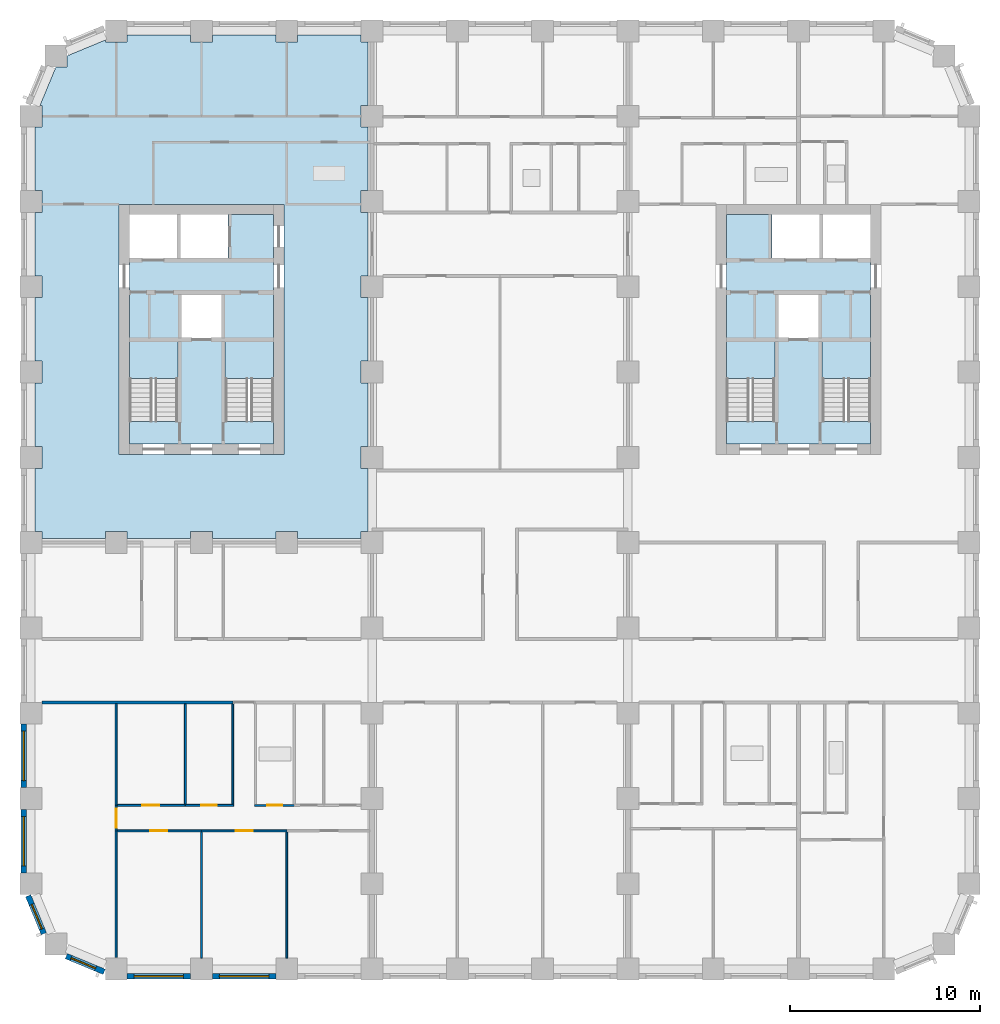
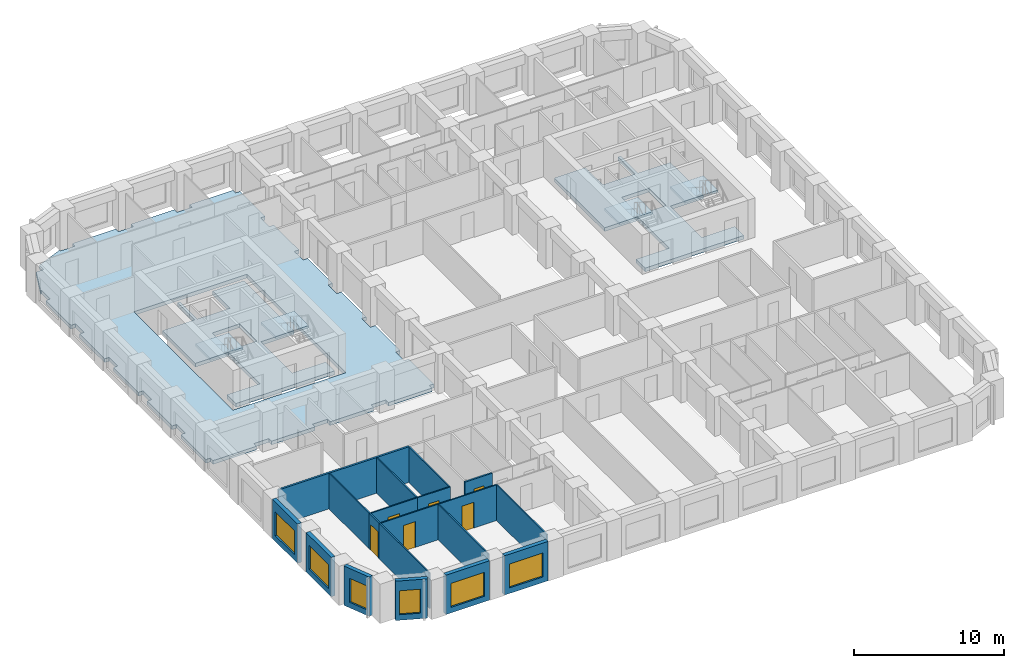
# One storey, part 2 of 13: 19 walls, 7 slabs, 6 doors, 6 windows, 12 openings, 4 elements without a shape of their own.
"""IFC4 building model written with IfcOpenShell, lengths in metres."""

from ifc_helpers import new_model, si_unit, direction, frame, frame_2d, origin, place, context, subcontext, project, spatial, polyline, rectangle, outline, extrude, material, layer, layer_set, type_object, element, fill, aggregate, save


model = new_model("IFC4")

# Units and contexts
model_context = context("Model", 3, precision=1e-05, world=origin(), true_north=direction((0.0, 1.0)))
body_context = subcontext(model_context, "Body", "Model", "MODEL_VIEW")
ifc_project = project(units=[si_unit("LENGTHUNIT", "METRE"), si_unit("AREAUNIT", "SQUARE_METRE"), si_unit("VOLUMEUNIT", "CUBIC_METRE"), si_unit("PLANEANGLEUNIT", "RADIAN"), si_unit("MASSUNIT", "GRAM", prefix="KILO")], contexts=[model_context])

# Site, building, storey
site_placement = place(None, origin())
site = spatial("IfcSite", under=ifc_project, at=site_placement, CompositionType="ELEMENT")
building_placement = place(site_placement, origin())
building = spatial("IfcBuilding", under=site, at=building_placement, Name="Girih Gate Residences", CompositionType="ELEMENT")
storey_placement = place(building_placement, frame((0.0, 0.0, 83.199951171875)))
storey = spatial("IfcBuildingStorey", under=building, at=storey_placement, Name="L22", CompositionType="ELEMENT", Elevation=83.199951171875)

# Slabs
ifc_material_1 = material(Name="Concrete C40/50", Category="concrete")
ifc_layer_1 = layer(ifc_material_1, 0.300048828125)
ifc_layer_set_1 = layer_set([ifc_layer_1], Name="Core floor slab 300")
slab_type_1 = type_object("IfcSlabType", Name="Core floor slab 300", PredefinedType="FLOOR", material=ifc_layer_set_1)
slab_1_placement = place(storey_placement, frame((0.0, 0.0, -0.300048828125)))
element("IfcSlab", 1, at=slab_1_placement, inside=storey, type_object=slab_type_1, Name="L22 W core floor", PredefinedType="FLOOR", context=body_context, shape_type="SweptSolid", body=[
    extrude(outline(polyline([(12.800048828125, 27.699951171875), (5.199951171875, 27.699951171875), (5.199951171875, 28.900634765625), (7.75, 28.900634765625), (7.75, 33.10009765625), (5.199951171875, 33.10009765625), (5.199951171875, 37.5), (7.699951171875, 37.5), (7.699951171875, 39.800048828125), (7.89990234375, 39.800048828125), (7.89990234375, 37.5), (10.39990234375, 37.5), (10.39990234375, 39.800048828125), (12.800048828125, 39.800048828125), (12.800048828125, 33.10009765625), (10.25, 33.10009765625), (10.25, 28.900634765625), (12.800048828125, 28.900634765625), (12.800048828125, 27.699951171875)]), holes=[polyline([(7.949951171875, 33.300048828125), (10.050048828125, 33.300048828125), (10.050048828125, 35.60009765625), (7.949951171875, 35.60009765625), (7.949951171875, 33.300048828125)])]), origin(), (0.0, 0.0, 1.0), 0.300048828125),
])
slab_2_placement = place(storey_placement, frame((0.0, 0.0, -0.300048828125)))
element("IfcSlab", 2, at=slab_2_placement, inside=storey, type_object=slab_type_1, Name="L22 E core floor", PredefinedType="FLOOR", context=body_context, shape_type="SweptSolid", body=[
    extrude(outline(polyline([(44.300048828125, 27.699951171875), (36.699951171875, 27.699951171875), (36.699951171875, 28.900634765625), (39.25, 28.900634765625), (39.25, 33.10009765625), (36.699951171875, 33.10009765625), (36.699951171875, 39.800048828125), (39.10009765625, 39.800048828125), (39.10009765625, 37.5), (41.60009765625, 37.5), (41.60009765625, 39.800048828125), (41.800048828125, 39.800048828125), (41.800048828125, 37.5), (44.300048828125, 37.5), (44.300048828125, 33.10009765625), (41.75, 33.10009765625), (41.75, 28.900634765625), (44.300048828125, 28.900634765625), (44.300048828125, 27.699951171875)]), holes=[polyline([(39.449951171875, 33.300048828125), (41.550048828125, 33.300048828125), (41.550048828125, 35.60009765625), (39.449951171875, 35.60009765625), (39.449951171875, 33.300048828125)])]), origin(), (0.0, 0.0, 1.0), 0.300048828125),
])
ifc_layer_2 = layer(ifc_material_1, 0.300048828125)
ifc_layer_set_2 = layer_set([ifc_layer_2], Name="Floor slab PT 300 Concrete C40/50")
slab_type_2 = type_object("IfcSlabType", Name="Floor slab PT 300 Concrete C40/50", PredefinedType="FLOOR", material=ifc_layer_set_2)
slab_3_placement = place(storey_placement, frame((0.0, 0.0, -0.300048828125)))
element("IfcSlab", 3, at=slab_3_placement, inside=storey, type_object=slab_type_2, Name="Floor slab L22 3", PredefinedType="FLOOR", context=body_context, shape_type="SweptSolid", body=[
    extrude(outline(polyline([(0.22509765625, 26.425048828125), (0.22509765625, 23.074951171875), (0.574951171875, 23.074951171875), (0.574951171875, 22.72509765625), (3.925048828125, 22.72509765625), (3.925048828125, 23.074951171875), (5.074951171875, 23.074951171875), (5.074951171875, 22.72509765625), (8.425048828125, 22.72509765625), (8.425048828125, 23.074951171875), (9.574951171875, 23.074951171875), (9.574951171875, 22.72509765625), (12.925048828125, 22.72509765625), (12.925048828125, 23.074951171875), (14.074951171875, 23.074951171875), (14.074951171875, 22.72509765625), (17.425048828125, 22.72509765625), (17.425048828125, 23.074951171875), (17.77490234375, 23.074951171875), (17.77490234375, 26.425048828125), (17.425048828125, 26.425048828125), (17.425048828125, 27.574951171875), (17.77490234375, 27.574951171875), (17.77490234375, 30.925048828125), (17.425048828125, 30.925048828125), (17.425048828125, 32.074951171875), (17.77490234375, 32.074951171875), (17.77490234375, 35.425048828125), (17.425048828125, 35.425048828125), (17.425048828125, 36.574951171875), (17.77490234375, 36.574951171875), (17.77490234375, 39.925048828125), (17.425048828125, 39.925048828125), (17.425048828125, 41.074951171875), (17.77490234375, 41.074951171875), (17.77490234375, 44.425048828125), (17.425048828125, 44.425048828125), (17.425048828125, 45.574951171875), (17.77490234375, 45.574951171875), (17.77490234375, 48.925048828125), (17.425048828125, 48.925048828125), (17.425048828125, 49.27490234375), (14.074951171875, 49.27490234375), (14.074951171875, 48.925048828125), (12.925048828125, 48.925048828125), (12.925048828125, 49.27490234375), (9.574951171875, 49.27490234375), (9.574951171875, 48.925048828125), (8.425048828125, 48.925048828125), (8.425048828125, 49.27490234375), (5.074951171875, 49.27490234375), (5.074951171875, 48.925048828125), (3.925048828125, 48.925048828125), (3.925048828125, 49.018310546875), (1.89306640625, 48.176513671875), (1.89306640625, 47.60693359375), (1.323486328125, 47.60693359375), (0.481689453125, 45.574951171875), (0.574951171875, 45.574951171875), (0.574951171875, 44.425048828125), (0.22509765625, 44.425048828125), (0.22509765625, 41.074951171875), (0.574951171875, 41.074951171875), (0.574951171875, 39.925048828125), (0.22509765625, 39.925048828125), (0.22509765625, 36.574951171875), (0.574951171875, 36.574951171875), (0.574951171875, 35.425048828125), (0.22509765625, 35.425048828125), (0.22509765625, 32.074951171875), (0.574951171875, 32.074951171875), (0.574951171875, 30.925048828125), (0.22509765625, 30.925048828125), (0.22509765625, 27.574951171875), (0.574951171875, 27.574951171875), (0.574951171875, 26.425048828125), (0.22509765625, 26.425048828125)]), holes=[polyline([(13.35009765625, 40.35009765625), (13.35009765625, 27.14990234375), (4.64990234375, 27.14990234375), (4.64990234375, 40.35009765625), (13.35009765625, 40.35009765625)])]), origin(), (0.0, 0.0, 1.0), 0.300048828125),
])

# Stair, slab
stair_type = type_object("IfcStairType", Name="Exit stair", PredefinedType="HALF_TURN_STAIR", material=ifc_material_1)
stair_1_placement = place(storey_placement, origin())
stair_1 = element("IfcStair", 4, at=stair_1_placement, inside=storey, type_object=stair_type, Name="L22 Exit Stair ST-W1", PredefinedType="HALF_TURN_STAIR")
ifc_layer_3 = layer(ifc_material_1, 0.199951171875)
ifc_layer_set_3 = layer_set([ifc_layer_3], Name="Stair landing 200")
slab_type_3 = type_object("IfcSlabType", Name="Stair landing 200", PredefinedType="LANDING", material=ifc_layer_set_3)
slab_4_placement = place(storey_placement, frame((0.0, 0.0, 1.400146484375)))
slab_4 = element("IfcSlab", 5, at=slab_4_placement, type_object=slab_type_3, Name="ST-W1 landing 1", PredefinedType="LANDING", context=body_context, shape_type="SweptSolid", body=[
    extrude(outline(polyline([(7.75, 31.14990234375), (7.75, 33.10009765625), (5.199951171875, 33.10009765625), (5.199951171875, 31.14990234375), (7.75, 31.14990234375)])), origin(), (0.0, 0.0, 1.0), 0.199951171875),
])
aggregate(stair_1, [slab_4])

stair_2_placement = place(storey_placement, origin())
stair_2 = element("IfcStair", 6, at=stair_2_placement, inside=storey, type_object=stair_type, Name="L22 Exit Stair ST-W2", PredefinedType="HALF_TURN_STAIR")
slab_5_placement = place(storey_placement, frame((0.0, 0.0, 1.400146484375)))
slab_5 = element("IfcSlab", 7, at=slab_5_placement, type_object=slab_type_3, Name="ST-W2 landing 1", PredefinedType="LANDING", context=body_context, shape_type="SweptSolid", body=[
    extrude(outline(polyline([(12.800048828125, 31.14990234375), (12.800048828125, 33.10009765625), (10.25, 33.10009765625), (10.25, 31.14990234375), (12.800048828125, 31.14990234375)])), origin(), (0.0, 0.0, 1.0), 0.199951171875),
])
aggregate(stair_2, [slab_5])

stair_3_placement = place(storey_placement, origin())
stair_3 = element("IfcStair", 8, at=stair_3_placement, inside=storey, type_object=stair_type, Name="L22 Exit Stair ST-E1", PredefinedType="HALF_TURN_STAIR")
slab_6_placement = place(storey_placement, frame((0.0, 0.0, 1.400146484375)))
slab_6 = element("IfcSlab", 9, at=slab_6_placement, type_object=slab_type_3, Name="ST-E1 landing 1", PredefinedType="LANDING", context=body_context, shape_type="SweptSolid", body=[
    extrude(outline(polyline([(44.300048828125, 31.14990234375), (44.300048828125, 33.10009765625), (41.75, 33.10009765625), (41.75, 31.14990234375), (44.300048828125, 31.14990234375)])), origin(), (0.0, 0.0, 1.0), 0.199951171875),
])
aggregate(stair_3, [slab_6])

stair_4_placement = place(storey_placement, origin())
stair_4 = element("IfcStair", 10, at=stair_4_placement, inside=storey, type_object=stair_type, Name="L22 Exit Stair ST-E2", PredefinedType="HALF_TURN_STAIR")
slab_7_placement = place(storey_placement, frame((0.0, 0.0, 1.400146484375)))
slab_7 = element("IfcSlab", 11, at=slab_7_placement, type_object=slab_type_3, Name="ST-E2 landing 1", PredefinedType="LANDING", context=body_context, shape_type="SweptSolid", body=[
    extrude(outline(polyline([(39.25, 31.14990234375), (39.25, 33.10009765625), (36.699951171875, 33.10009765625), (36.699951171875, 31.14990234375), (39.25, 31.14990234375)])), origin(), (0.0, 0.0, 1.0), 0.199951171875),
])
aggregate(stair_4, [slab_7])

# Walls
ifc_material_2 = material(Name="Gypsum board on steel studs", Category="steel")
ifc_layer_4 = layer(ifc_material_2, 0.14990234375)
ifc_layer_set_4 = layer_set([ifc_layer_4], Name="Compartment wall 150 mm")
wall_type_1 = type_object("IfcWallType", Name="Compartment wall 150 mm", PredefinedType="PARTITIONING", material=ifc_layer_set_4)
wall_1_placement = place(storey_placement, frame((0.574951171875, 14.074951171875, 0.0), z_axis=(0.0, 0.0, 1.0), x_axis=(1.0, 0.0, 0.0)))
element("IfcWall", 12, at=wall_1_placement, inside=storey, type_object=wall_type_1, Name="L22 partition", PredefinedType="PARTITIONING", context=body_context, shape_type="SweptSolid", body=[
    extrude(rectangle(XDim=10.074951171875, YDim=0.14990234375, at=frame_2d((5.03759765625, 0.0))), origin(), (0.0, 0.0, 1.0), 2.900146484375),
])
ifc_layer_5 = layer(ifc_material_2, 0.10009765625)
ifc_layer_set_5 = layer_set([ifc_layer_5], Name="Partition 100 mm")
wall_type_2 = type_object("IfcWallType", Name="Partition 100 mm", PredefinedType="PARTITIONING", material=ifc_layer_set_5)
wall_2_placement = place(storey_placement, frame((9.0, 0.574951171875, 0.0), z_axis=(0.0, 0.0, 1.0), x_axis=(0.0, 1.0, 0.0)))
element("IfcWall", 13, at=wall_2_placement, inside=storey, type_object=wall_type_2, Name="L22 partition", PredefinedType="PARTITIONING", context=body_context, shape_type="SweptSolid", body=[
    extrude(rectangle(XDim=6.670166015625, YDim=0.10009765625, at=frame_2d((3.3349609375, 0.0))), origin(), (0.0, 0.0, 1.0), 2.900146484375),
])

# Wall, opening, door
wall_3_placement = place(storey_placement, frame((9.0, 7.294921875, 0.0), z_axis=(0.0, 0.0, 1.0), x_axis=(-1.0, 0.0, 0.0)))
wall_3 = element("IfcWall", 14, at=wall_3_placement, inside=storey, type_object=wall_type_2, Name="L22 partition", PredefinedType="PARTITIONING", context=body_context, shape_type="SweptSolid", body=[
    extrude(rectangle(XDim=4.449951171875, YDim=0.10009765625, at=frame_2d((2.22509765625, 0.0))), origin(), (0.0, 0.0, 1.0), 2.900146484375),
])
opening_1_placement = place(wall_3_placement, frame((1.800048828125, 0.0, 0.0)))
opening_1 = element("IfcOpeningElement", 15, at=opening_1_placement, cuts=wall_3, Name="Opening A22-002", PredefinedType="OPENING", context=body_context, shape_type="SweptSolid", body=[
    extrude(rectangle(XDim=0.89990234375, YDim=2.10009765625, at=frame_2d((0.449951171875, 1.050048828125))), frame((0.0, 0.06005859375, 0.0), z_axis=(0.0, -1.0, 0.0), x_axis=(1.0, 0.0, 0.0)), (0.0, 0.0, 1.0), 0.1201171875),
])
ifc_material_3 = material(Name="Timber", Category="wood")
door_type_1 = type_object("IfcDoorType", Name="Bedroom door 900x2100", OperationType="NOTDEFINED", PredefinedType="DOOR", material=ifc_material_3)
door_1_placement = place(opening_1_placement, origin())
door_1 = element("IfcDoor", 16, at=door_1_placement, inside=storey, type_object=door_type_1, Name="Door A22-002", OperationType="SINGLE_SWING_RIGHT", OverallHeight=2.10009765625, OverallWidth=0.89990234375, PredefinedType="DOOR", context=body_context, shape_type="SweptSolid", body=[
    extrude(rectangle(XDim=0.89990234375, YDim=2.10009765625, at=frame_2d((0.449951171875, 1.050048828125))), frame((0.0, 0.02490234375, 0.0), z_axis=(0.0, -1.0, 0.0), x_axis=(1.0, 0.0, 0.0)), (0.0, 0.0, 1.0), 0.050048828125),
])
fill(opening_1, door_1)

# Walls
wall_4_placement = place(storey_placement, frame((4.5, 0.622314453125, 0.0), z_axis=(0.0, 0.0, 1.0), x_axis=(0.0, 1.0, 0.0)))
element("IfcWall", 17, at=wall_4_placement, inside=storey, type_object=wall_type_2, Name="L22 partition", PredefinedType="PARTITIONING", context=body_context, shape_type="SweptSolid", body=[
    extrude(rectangle(XDim=6.672607421875, YDim=0.10009765625, at=frame_2d((3.33642578125, 0.0))), origin(), (0.0, 0.0, 1.0), 2.900146484375),
])
wall_5_placement = place(storey_placement, frame((13.5, 0.574951171875, 0.0), z_axis=(0.0, 0.0, 1.0), x_axis=(0.0, 1.0, 0.0)))
element("IfcWall", 18, at=wall_5_placement, inside=storey, type_object=wall_type_2, Name="L22 partition", PredefinedType="PARTITIONING", context=body_context, shape_type="SweptSolid", body=[
    extrude(rectangle(XDim=6.670166015625, YDim=0.10009765625, at=frame_2d((3.3349609375, 0.0))), origin(), (0.0, 0.0, 1.0), 2.900146484375),
])

# Wall, opening, door
wall_6_placement = place(storey_placement, frame((13.5, 7.294921875, 0.0), z_axis=(0.0, 0.0, 1.0), x_axis=(-1.0, 0.0, 0.0)))
wall_6 = element("IfcWall", 19, at=wall_6_placement, inside=storey, type_object=wall_type_2, Name="L22 partition", PredefinedType="PARTITIONING", context=body_context, shape_type="SweptSolid", body=[
    extrude(rectangle(XDim=4.5, YDim=0.10009765625, at=frame_2d((2.25, 0.0))), origin(), (0.0, 0.0, 1.0), 2.900146484375),
])
opening_2_placement = place(wall_6_placement, frame((1.800048828125, 0.0, 0.0)))
opening_2 = element("IfcOpeningElement", 20, at=opening_2_placement, cuts=wall_6, Name="Opening A22-003", PredefinedType="OPENING", context=body_context, shape_type="SweptSolid", body=[
    extrude(rectangle(XDim=0.89990234375, YDim=2.10009765625, at=frame_2d((0.449951171875, 1.050048828125))), frame((0.0, 0.06005859375, 0.0), z_axis=(0.0, -1.0, 0.0), x_axis=(1.0, 0.0, 0.0)), (0.0, 0.0, 1.0), 0.1201171875),
])
door_2_placement = place(opening_2_placement, origin())
door_2 = element("IfcDoor", 21, at=door_2_placement, inside=storey, type_object=door_type_1, Name="Door A22-003", OperationType="SINGLE_SWING_LEFT", OverallHeight=2.10009765625, OverallWidth=0.89990234375, PredefinedType="DOOR", context=body_context, shape_type="SweptSolid", body=[
    extrude(rectangle(XDim=0.89990234375, YDim=2.10009765625, at=frame_2d((0.449951171875, 1.050048828125))), frame((0.0, 0.02490234375, 0.0), z_axis=(0.0, -1.0, 0.0), x_axis=(1.0, 0.0, 0.0)), (0.0, 0.0, 1.0), 0.050048828125),
])
fill(opening_2, door_2)

wall_7_placement = place(storey_placement, frame((4.550048828125, 8.635009765625, 0.0), z_axis=(0.0, 0.0, 1.0), x_axis=(1.0, 0.0, 0.0)))
wall_7 = element("IfcWall", 22, at=wall_7_placement, inside=storey, type_object=wall_type_2, Name="L22 partition", PredefinedType="PARTITIONING", context=body_context, shape_type="SweptSolid", body=[
    extrude(rectangle(XDim=3.600341796875, YDim=0.10009765625, at=frame_2d((1.80029296875, 0.0))), origin(), (0.0, 0.0, 1.0), 2.900146484375),
])
opening_3_placement = place(wall_7_placement, frame((1.3251953125, 0.0, 0.0)))
opening_3 = element("IfcOpeningElement", 23, at=opening_3_placement, cuts=wall_7, Name="Opening A22-006", PredefinedType="OPENING", context=body_context, shape_type="SweptSolid", body=[
    extrude(rectangle(XDim=0.89990234375, YDim=2.10009765625, at=frame_2d((0.449951171875, 1.050048828125))), frame((0.0, 0.06005859375, 0.0), z_axis=(0.0, -1.0, 0.0), x_axis=(1.0, 0.0, 0.0)), (0.0, 0.0, 1.0), 0.1201171875),
])
door_type_2 = type_object("IfcDoorType", Name="Kitchen door 900x2100", OperationType="NOTDEFINED", PredefinedType="DOOR", material=ifc_material_3)
door_3_placement = place(opening_3_placement, origin())
door_3 = element("IfcDoor", 24, at=door_3_placement, inside=storey, type_object=door_type_2, Name="Door A22-006", OperationType="SINGLE_SWING_LEFT", OverallHeight=2.10009765625, OverallWidth=0.89990234375, PredefinedType="DOOR", context=body_context, shape_type="SweptSolid", body=[
    extrude(rectangle(XDim=0.89990234375, YDim=2.10009765625, at=frame_2d((0.449951171875, 1.050048828125))), frame((0.0, 0.02490234375, 0.0), z_axis=(0.0, -1.0, 0.0), x_axis=(1.0, 0.0, 0.0)), (0.0, 0.0, 1.0), 0.050048828125),
])
fill(opening_3, door_3)

wall_8_placement = place(storey_placement, frame((4.5, 7.294921875, 0.0), z_axis=(0.0, 0.0, 1.0), x_axis=(0.0, 1.0, 0.0)))
wall_8 = element("IfcWall", 25, at=wall_8_placement, inside=storey, type_object=wall_type_2, Name="L22 partition", PredefinedType="PARTITIONING", context=body_context, shape_type="SweptSolid", body=[
    extrude(rectangle(XDim=1.340087890625, YDim=0.10009765625, at=frame_2d((0.669921875, 0.0))), origin(), (0.0, 0.0, 1.0), 2.900146484375),
])
opening_4_placement = place(wall_8_placement, frame((0.169921875, 0.0, 0.0)))
opening_4 = element("IfcOpeningElement", 26, at=opening_4_placement, cuts=wall_8, Name="Opening A22-007", PredefinedType="OPENING", context=body_context, shape_type="SweptSolid", body=[
    extrude(rectangle(XDim=1.0, YDim=2.10009765625, at=frame_2d((0.5, 1.050048828125))), frame((0.0, 0.06005859375, 0.0), z_axis=(0.0, -1.0, 0.0), x_axis=(1.0, 0.0, 0.0)), (0.0, 0.0, 1.0), 0.1201171875),
])
door_type_3 = type_object("IfcDoorType", Name="Living room door 1000x2100", OperationType="NOTDEFINED", PredefinedType="DOOR", material=ifc_material_3)
door_4_placement = place(opening_4_placement, origin())
door_4 = element("IfcDoor", 27, at=door_4_placement, inside=storey, type_object=door_type_3, Name="Door A22-007", OperationType="SINGLE_SWING_RIGHT", OverallHeight=2.10009765625, OverallWidth=1.0, PredefinedType="DOOR", context=body_context, shape_type="SweptSolid", body=[
    extrude(rectangle(XDim=1.0, YDim=2.10009765625, at=frame_2d((0.5, 1.050048828125))), frame((0.0, 0.02490234375, 0.0), z_axis=(0.0, -1.0, 0.0), x_axis=(1.0, 0.0, 0.0)), (0.0, 0.0, 1.0), 0.050048828125),
])
fill(opening_4, door_4)

wall_9_placement = place(storey_placement, frame((8.150390625, 8.635009765625, 0.0), z_axis=(0.0, 0.0, 1.0), x_axis=(1.0, 0.0, 0.0)))
wall_9 = element("IfcWall", 28, at=wall_9_placement, inside=storey, type_object=wall_type_2, Name="L22 partition", PredefinedType="PARTITIONING", context=body_context, shape_type="SweptSolid", body=[
    extrude(rectangle(XDim=2.549560546875, YDim=0.10009765625, at=frame_2d((1.27490234375, 0.0))), origin(), (0.0, 0.0, 1.0), 2.900146484375),
])
opening_5_placement = place(wall_9_placement, frame((0.849853515625, 0.0, 0.0)))
opening_5 = element("IfcOpeningElement", 29, at=opening_5_placement, cuts=wall_9, Name="Opening A22-009", PredefinedType="OPENING", context=body_context, shape_type="SweptSolid", body=[
    extrude(rectangle(XDim=0.800048828125, YDim=2.10009765625, at=frame_2d((0.39990234375, 1.050048828125))), frame((0.0, 0.06005859375, 0.0), z_axis=(0.0, -1.0, 0.0), x_axis=(1.0, 0.0, 0.0)), (0.0, 0.0, 1.0), 0.1201171875),
])
door_type_4 = type_object("IfcDoorType", Name="Store door 800x2100", OperationType="NOTDEFINED", PredefinedType="DOOR", material=ifc_material_3)
door_5_placement = place(opening_5_placement, origin())
door_5 = element("IfcDoor", 30, at=door_5_placement, inside=storey, type_object=door_type_4, Name="Door A22-009", OperationType="SINGLE_SWING_LEFT", OverallHeight=2.10009765625, OverallWidth=0.800048828125, PredefinedType="DOOR", context=body_context, shape_type="SweptSolid", body=[
    extrude(rectangle(XDim=0.800048828125, YDim=2.10009765625, at=frame_2d((0.39990234375, 1.050048828125))), frame((0.0, 0.02490234375, 0.0), z_axis=(0.0, -1.0, 0.0), x_axis=(1.0, 0.0, 0.0)), (0.0, 0.0, 1.0), 0.050048828125),
])
fill(opening_5, door_5)

# Walls
wall_10_placement = place(storey_placement, frame((10.64990234375, 8.68505859375, 0.0), z_axis=(0.0, 0.0, 1.0), x_axis=(0.0, 1.0, 0.0)))
element("IfcWall", 31, at=wall_10_placement, inside=storey, type_object=wall_type_2, Name="L22 partition", PredefinedType="PARTITIONING", context=body_context, shape_type="SweptSolid", body=[
    extrude(rectangle(XDim=5.31494140625, YDim=0.10009765625, at=frame_2d((2.657470703125, 0.0))), origin(), (0.0, 0.0, 1.0), 2.900146484375),
])
wall_11_placement = place(storey_placement, frame((4.5, 8.635009765625, 0.0), z_axis=(0.0, 0.0, 1.0), x_axis=(0.0, 1.0, 0.0)))
element("IfcWall", 32, at=wall_11_placement, inside=storey, type_object=wall_type_2, Name="L22 partition", PredefinedType="PARTITIONING", context=body_context, shape_type="SweptSolid", body=[
    extrude(rectangle(XDim=5.364990234375, YDim=0.10009765625, at=frame_2d((2.6826171875, 0.0))), origin(), (0.0, 0.0, 1.0), 2.900146484375),
])
wall_12_placement = place(storey_placement, frame((8.14990234375, 8.68505859375, 0.0), z_axis=(0.0, 0.0, 1.0), x_axis=(0.0, 1.0, 0.0)))
element("IfcWall", 33, at=wall_12_placement, inside=storey, type_object=wall_type_2, Name="L22 partition", PredefinedType="PARTITIONING", context=body_context, shape_type="SweptSolid", body=[
    extrude(rectangle(XDim=5.31494140625, YDim=0.10009765625, at=frame_2d((2.657470703125, 0.0))), origin(), (0.0, 0.0, 1.0), 2.900146484375),
])

# Wall, opening, window
ifc_material_4 = material(Name="Precast concrete C50/60", Category="concrete")
ifc_layer_6 = layer(ifc_material_4, 0.080078125, Name="Outer leaf")
ifc_material_5 = material(Name="Rigid PIR insulation")
ifc_layer_7 = layer(ifc_material_5, 0.14990234375, Name="Insulation")
ifc_material_6 = material(Name="Precast concrete C40/50", Category="concrete")
ifc_layer_8 = layer(ifc_material_6, 0.070068359375, Name="Inner leaf")
ifc_layer_set_6 = layer_set([ifc_layer_6, ifc_layer_7, ifc_layer_8], Name="Precast concrete C50/60 external wall 300")
wall_type_3 = type_object("IfcWallType", Name="Precast concrete C50/60 external wall 300", PredefinedType="SOLIDWALL", material=ifc_layer_set_6)
wall_13_placement = place(storey_placement, frame((0.68408203125, 1.86865234375, 0.0), z_axis=(0.0, 0.0, 1.0), x_axis=(-0.382723818695, 0.923862802911, 0.0)))
wall_13 = element("IfcWall", 34, at=wall_13_placement, inside=storey, type_object=wall_type_3, Name="External wall SW0000_0045.0", PredefinedType="SOLIDWALL", context=body_context, shape_type="SweptSolid", body=[
    extrude(rectangle(XDim=2.163818359375, YDim=0.300048828125, at=frame_2d((1.08203125, 0.0))), origin(), (0.0, 0.0, 1.0), 3.199951171875),
])
opening_6_placement = place(wall_13_placement, frame((0.270751953125, 0.0, 0.449951171875)))
opening_6 = element("IfcOpeningElement", 35, at=opening_6_placement, cuts=wall_13, Name="Opening W-2D", PredefinedType="OPENING", context=body_context, shape_type="SweptSolid", body=[
    extrude(rectangle(XDim=1.39990234375, YDim=1.949951171875, at=frame_2d((0.699951171875, 0.97509765625))), frame((0.0, 0.159912109375, 0.0), z_axis=(0.0, -1.0, 0.0), x_axis=(1.0, 0.0, 0.0)), (0.0, 0.0, 1.0), 0.320068359375),
])
ifc_material_7 = material(Name="Double glazing in aluminium frame", Category="aluminium")
window_type_1 = type_object("IfcWindowType", Name="Window W-2D 1400x1950", PartitioningType="SINGLE_PANEL", PredefinedType="WINDOW", material=ifc_material_7)
window_1_placement = place(opening_6_placement, origin())
window_1 = element("IfcWindow", 36, at=window_1_placement, inside=storey, type_object=window_type_1, Name="Window W-2D SW0000_0045.0", OverallHeight=1.949951171875, OverallWidth=1.39990234375, PartitioningType="SINGLE_PANEL", PredefinedType="WINDOW", context=body_context, shape_type="SweptSolid", body=[
    extrude(rectangle(XDim=1.39990234375, YDim=1.949951171875, at=frame_2d((0.699951171875, 0.97509765625))), frame((0.0, 0.030029296875, 0.0), z_axis=(0.0, -1.0, 0.0), x_axis=(1.0, 0.0, 0.0)), (0.0, 0.0, 1.0), 0.06005859375),
])
fill(opening_6, window_1)

wall_14_placement = place(storey_placement, frame((3.86767578125, -0.14404296875, 0.0), z_axis=(0.0, 0.0, 1.0), x_axis=(-0.923862802911, 0.382723818695, 0.0)))
wall_14 = element("IfcWall", 37, at=wall_14_placement, inside=storey, type_object=wall_type_3, Name="External wall SW0013_0013.0", PredefinedType="SOLIDWALL", context=body_context, shape_type="SweptSolid", body=[
    extrude(rectangle(XDim=2.163818359375, YDim=0.300048828125, at=frame_2d((1.08203125, 0.0))), origin(), (0.0, 0.0, 1.0), 3.199951171875),
])
opening_7_placement = place(wall_14_placement, frame((0.492919921875, 0.0, 0.449951171875)))
opening_7 = element("IfcOpeningElement", 38, at=opening_7_placement, cuts=wall_14, Name="Opening W-2D", PredefinedType="OPENING", context=body_context, shape_type="SweptSolid", body=[
    extrude(rectangle(XDim=1.39990234375, YDim=1.949951171875, at=frame_2d((0.699951171875, 0.97509765625))), frame((0.0, 0.159912109375, 0.0), z_axis=(0.0, -1.0, 0.0), x_axis=(1.0, 0.0, 0.0)), (0.0, 0.0, 1.0), 0.320068359375),
])
window_2_placement = place(opening_7_placement, origin())
window_2 = element("IfcWindow", 39, at=window_2_placement, inside=storey, type_object=window_type_1, Name="Window W-2D SW0013_0013.0", OverallHeight=1.949951171875, OverallWidth=1.39990234375, PartitioningType="SINGLE_PANEL", PredefinedType="WINDOW", context=body_context, shape_type="SweptSolid", body=[
    extrude(rectangle(XDim=1.39990234375, YDim=1.949951171875, at=frame_2d((0.699951171875, 0.97509765625))), frame((0.0, 0.030029296875, 0.0), z_axis=(0.0, -1.0, 0.0), x_axis=(1.0, 0.0, 0.0)), (0.0, 0.0, 1.0), 0.06005859375),
])
fill(opening_7, window_2)

wall_15_placement = place(storey_placement, frame((8.425048828125, -0.375, 0.0), z_axis=(0.0, 0.0, 1.0), x_axis=(-1.0, 0.0, 0.0)))
wall_15 = element("IfcWall", 40, at=wall_15_placement, inside=storey, type_object=wall_type_3, Name="External wall S0045_0000.0", PredefinedType="SOLIDWALL", context=body_context, shape_type="SweptSolid", body=[
    extrude(rectangle(XDim=3.35009765625, YDim=0.300048828125, at=frame_2d((1.675048828125, 0.0))), origin(), (0.0, 0.0, 1.0), 3.199951171875),
])
opening_8_placement = place(wall_15_placement, frame((0.375, 0.0, 0.449951171875)))
opening_8 = element("IfcOpeningElement", 41, at=opening_8_placement, cuts=wall_15, Name="Opening W-1A", PredefinedType="OPENING", context=body_context, shape_type="SweptSolid", body=[
    extrude(rectangle(XDim=2.60009765625, YDim=1.949951171875, at=frame_2d((1.300048828125, 0.97509765625))), frame((0.0, 0.159912109375, 0.0), z_axis=(0.0, -1.0, 0.0), x_axis=(1.0, 0.0, 0.0)), (0.0, 0.0, 1.0), 0.320068359375),
])
window_type_2 = type_object("IfcWindowType", Name="Window W-1A 2600x1950", PartitioningType="SINGLE_PANEL", PredefinedType="WINDOW", material=ifc_material_7)
window_3_placement = place(opening_8_placement, origin())
window_3 = element("IfcWindow", 42, at=window_3_placement, inside=storey, type_object=window_type_2, Name="Window W-1A S0045_0000.0", OverallHeight=1.949951171875, OverallWidth=2.60009765625, PartitioningType="SINGLE_PANEL", PredefinedType="WINDOW", context=body_context, shape_type="SweptSolid", body=[
    extrude(rectangle(XDim=2.60009765625, YDim=1.949951171875, at=frame_2d((1.300048828125, 0.97509765625))), frame((0.0, 0.030029296875, 0.0), z_axis=(0.0, -1.0, 0.0), x_axis=(1.0, 0.0, 0.0)), (0.0, 0.0, 1.0), 0.06005859375),
])
fill(opening_8, window_3)

wall_16_placement = place(storey_placement, frame((12.925048828125, -0.375, 0.0), z_axis=(0.0, 0.0, 1.0), x_axis=(-1.0, 0.0, 0.0)))
wall_16 = element("IfcWall", 43, at=wall_16_placement, inside=storey, type_object=wall_type_3, Name="External wall S0045_0000.1", PredefinedType="SOLIDWALL", context=body_context, shape_type="SweptSolid", body=[
    extrude(rectangle(XDim=3.35009765625, YDim=0.300048828125, at=frame_2d((1.675048828125, 0.0))), origin(), (0.0, 0.0, 1.0), 3.199951171875),
])
opening_9_placement = place(wall_16_placement, frame((0.375, 0.0, 0.449951171875)))
opening_9 = element("IfcOpeningElement", 44, at=opening_9_placement, cuts=wall_16, Name="Opening W-1A", PredefinedType="OPENING", context=body_context, shape_type="SweptSolid", body=[
    extrude(rectangle(XDim=2.60009765625, YDim=1.949951171875, at=frame_2d((1.300048828125, 0.97509765625))), frame((0.0, 0.159912109375, 0.0), z_axis=(0.0, -1.0, 0.0), x_axis=(1.0, 0.0, 0.0)), (0.0, 0.0, 1.0), 0.320068359375),
])
window_4_placement = place(opening_9_placement, origin())
window_4 = element("IfcWindow", 45, at=window_4_placement, inside=storey, type_object=window_type_2, Name="Window W-1A S0045_0000.1", OverallHeight=1.949951171875, OverallWidth=2.60009765625, PartitioningType="SINGLE_PANEL", PredefinedType="WINDOW", context=body_context, shape_type="SweptSolid", body=[
    extrude(rectangle(XDim=2.60009765625, YDim=1.949951171875, at=frame_2d((1.300048828125, 0.97509765625))), frame((0.0, 0.030029296875, 0.0), z_axis=(0.0, -1.0, 0.0), x_axis=(1.0, 0.0, 0.0)), (0.0, 0.0, 1.0), 0.06005859375),
])
fill(opening_9, window_4)

wall_17_placement = place(storey_placement, frame((-0.375, 9.574951171875, 0.0), z_axis=(0.0, 0.0, 1.0), x_axis=(0.0, 1.0, 0.0)))
wall_17 = element("IfcWall", 46, at=wall_17_placement, inside=storey, type_object=wall_type_3, Name="External wall W0000_0450.7", PredefinedType="SOLIDWALL", context=body_context, shape_type="SweptSolid", body=[
    extrude(rectangle(XDim=3.35009765625, YDim=0.300048828125, at=frame_2d((1.675048828125, 0.0))), origin(), (0.0, 0.0, 1.0), 3.199951171875),
])
opening_10_placement = place(wall_17_placement, frame((0.375, 0.0, 0.449951171875)))
opening_10 = element("IfcOpeningElement", 47, at=opening_10_placement, cuts=wall_17, Name="Opening W-1A", PredefinedType="OPENING", context=body_context, shape_type="SweptSolid", body=[
    extrude(rectangle(XDim=2.60009765625, YDim=1.949951171875, at=frame_2d((1.300048828125, 0.97509765625))), frame((0.0, 0.159912109375, 0.0), z_axis=(0.0, -1.0, 0.0), x_axis=(1.0, 0.0, 0.0)), (0.0, 0.0, 1.0), 0.320068359375),
])
window_5_placement = place(opening_10_placement, origin())
window_5 = element("IfcWindow", 48, at=window_5_placement, inside=storey, type_object=window_type_2, Name="Window W-1A W0000_0450.7", OverallHeight=1.949951171875, OverallWidth=2.60009765625, PartitioningType="SINGLE_PANEL", PredefinedType="WINDOW", context=body_context, shape_type="SweptSolid", body=[
    extrude(rectangle(XDim=2.60009765625, YDim=1.949951171875, at=frame_2d((1.300048828125, 0.97509765625))), frame((0.0, 0.030029296875, 0.0), z_axis=(0.0, -1.0, 0.0), x_axis=(1.0, 0.0, 0.0)), (0.0, 0.0, 1.0), 0.06005859375),
])
fill(opening_10, window_5)

wall_18_placement = place(storey_placement, frame((-0.375, 5.074951171875, 0.0), z_axis=(0.0, 0.0, 1.0), x_axis=(0.0, 1.0, 0.0)))
wall_18 = element("IfcWall", 49, at=wall_18_placement, inside=storey, type_object=wall_type_3, Name="External wall W0000_0450.8", PredefinedType="SOLIDWALL", context=body_context, shape_type="SweptSolid", body=[
    extrude(rectangle(XDim=3.35009765625, YDim=0.300048828125, at=frame_2d((1.675048828125, 0.0))), origin(), (0.0, 0.0, 1.0), 3.199951171875),
])
opening_11_placement = place(wall_18_placement, frame((0.375, 0.0, 0.449951171875)))
opening_11 = element("IfcOpeningElement", 50, at=opening_11_placement, cuts=wall_18, Name="Opening W-1A", PredefinedType="OPENING", context=body_context, shape_type="SweptSolid", body=[
    extrude(rectangle(XDim=2.60009765625, YDim=1.949951171875, at=frame_2d((1.300048828125, 0.97509765625))), frame((0.0, 0.159912109375, 0.0), z_axis=(0.0, -1.0, 0.0), x_axis=(1.0, 0.0, 0.0)), (0.0, 0.0, 1.0), 0.320068359375),
])
window_6_placement = place(opening_11_placement, origin())
window_6 = element("IfcWindow", 51, at=window_6_placement, inside=storey, type_object=window_type_2, Name="Window W-1A W0000_0450.8", OverallHeight=1.949951171875, OverallWidth=2.60009765625, PartitioningType="SINGLE_PANEL", PredefinedType="WINDOW", context=body_context, shape_type="SweptSolid", body=[
    extrude(rectangle(XDim=2.60009765625, YDim=1.949951171875, at=frame_2d((1.300048828125, 0.97509765625))), frame((0.0, 0.030029296875, 0.0), z_axis=(0.0, -1.0, 0.0), x_axis=(1.0, 0.0, 0.0)), (0.0, 0.0, 1.0), 0.06005859375),
])
fill(opening_11, window_6)

# Wall, opening, door
ifc_layer_9 = layer(ifc_material_2, 0.125)
ifc_layer_set_7 = layer_set([ifc_layer_9], Name="Wet room wall 125 mm")
wall_type_4 = type_object("IfcWallType", Name="Wet room wall 125 mm", PredefinedType="PARTITIONING", material=ifc_layer_set_7)
wall_19_placement = place(storey_placement, frame((11.78759765625, 8.635009765625, 0.0), z_axis=(0.0, 0.0, 1.0), x_axis=(1.0, 0.0, 0.0)))
wall_19 = element("IfcWall", 52, at=wall_19_placement, inside=storey, type_object=wall_type_4, Name="L22 partition", PredefinedType="PARTITIONING", context=body_context, shape_type="SweptSolid", body=[
    extrude(rectangle(XDim=2.110107421875, YDim=0.125, at=frame_2d((1.05517578125, 0.0))), origin(), (0.0, 0.0, 1.0), 2.900146484375),
])
opening_12_placement = place(wall_19_placement, frame((0.686279296875, 0.0, 0.0)))
opening_12 = element("IfcOpeningElement", 53, at=opening_12_placement, cuts=wall_19, Name="Opening A22-001", PredefinedType="OPENING", context=body_context, shape_type="SweptSolid", body=[
    extrude(rectangle(XDim=0.800048828125, YDim=2.10009765625, at=frame_2d((0.39990234375, 1.050048828125))), frame((0.0, 0.072509765625, 0.0), z_axis=(0.0, -1.0, 0.0), x_axis=(1.0, 0.0, 0.0)), (0.0, 0.0, 1.0), 0.14501953125),
])
door_type_5 = type_object("IfcDoorType", Name="Bathroom door 800x2100", OperationType="NOTDEFINED", PredefinedType="DOOR", material=ifc_material_3)
door_6_placement = place(opening_12_placement, origin())
door_6 = element("IfcDoor", 54, at=door_6_placement, inside=storey, type_object=door_type_5, Name="Door A22-001", OperationType="SINGLE_SWING_RIGHT", OverallHeight=2.10009765625, OverallWidth=0.800048828125, PredefinedType="DOOR", context=body_context, shape_type="SweptSolid", body=[
    extrude(rectangle(XDim=0.800048828125, YDim=2.10009765625, at=frame_2d((0.39990234375, 1.050048828125))), frame((0.0, 0.02490234375, 0.0), z_axis=(0.0, -1.0, 0.0), x_axis=(1.0, 0.0, 0.0)), (0.0, 0.0, 1.0), 0.050048828125),
])
fill(opening_12, door_6)

save(model, "model.ifc")
